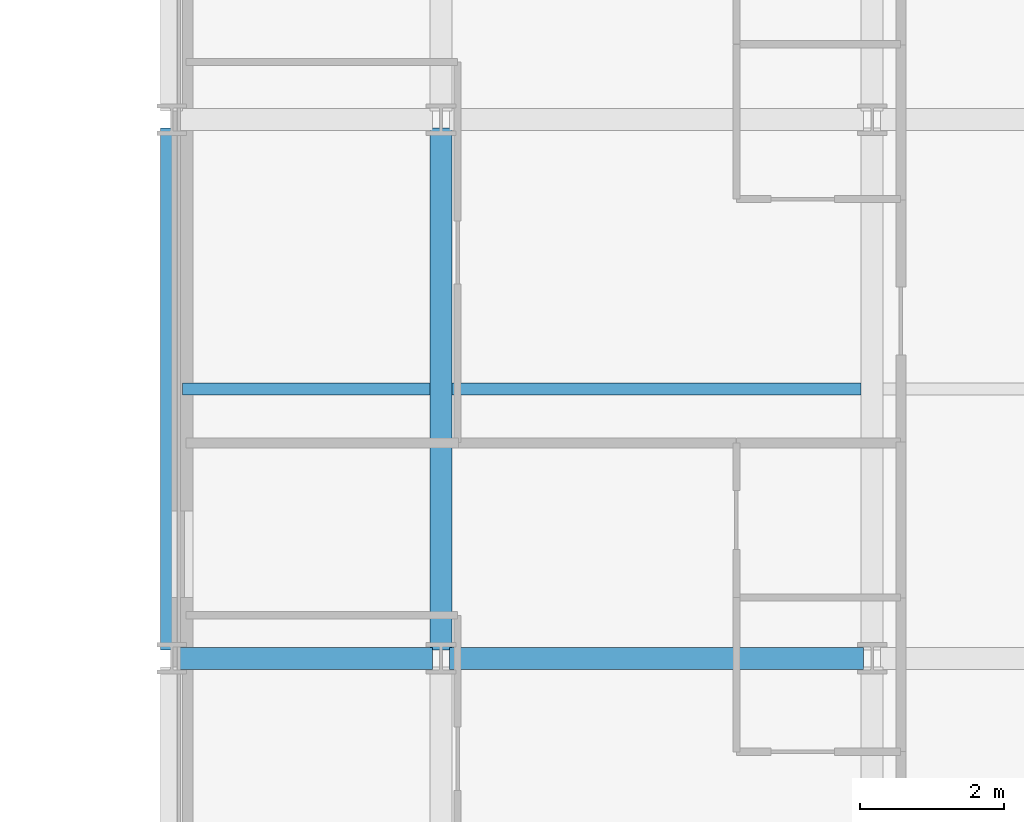
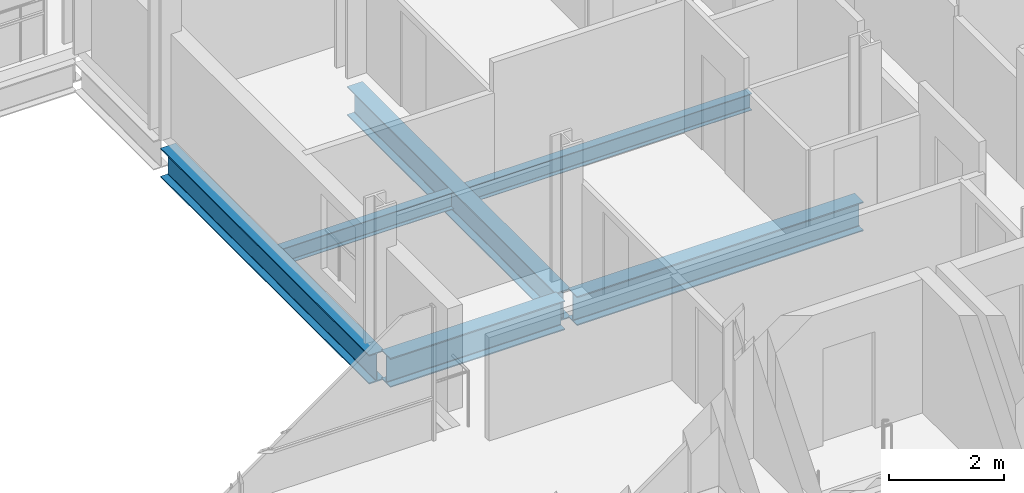
# One storey, part 16 of 41: 6 beams.
"""IFC4 building model written with IfcOpenShell, lengths in metres."""

from ifc_helpers import new_model, si_unit, direction, frame, origin, origin_2d, place, context, subcontext, project, spatial, i_section, extrude, material, material_profile, profile_set, type_object, element, save


model = new_model("IFC4")

# Units and contexts
model_context = context("Model", 3, precision=1e-05, world=origin(), true_north=direction((0.0, 1.0)))
body_context = subcontext(model_context, "Body", "Model", "MODEL_VIEW")
ifc_project = project(units=[si_unit("LENGTHUNIT", "METRE"), si_unit("AREAUNIT", "SQUARE_METRE"), si_unit("VOLUMEUNIT", "CUBIC_METRE"), si_unit("PLANEANGLEUNIT", "RADIAN"), si_unit("MASSUNIT", "GRAM", prefix="KILO")], contexts=[model_context])

# Site, building, storey
site_placement = place(None, origin())
site = spatial("IfcSite", under=ifc_project, at=site_placement, CompositionType="ELEMENT")
building_placement = place(site_placement, origin())
building = spatial("IfcBuilding", under=site, at=building_placement, Name="Brevholm Reach", CompositionType="ELEMENT")
storey_placement = place(building_placement, frame((0.0, 0.0, 93.10009765625)))
storey = spatial("IfcBuildingStorey", under=building, at=storey_placement, Name="L27", CompositionType="ELEMENT", Elevation=93.10009765625)

# Beams
ifc_material_1 = material(Name="Structural Steel S355J2", Category="steel")
ifc_material_profile_1 = material_profile(ifc_material_1, i_section(OverallWidth=0.17138671875, OverallDepth=0.35498046875, WebThickness=0.00732421875, FlangeThickness=0.011474609375, FilletRadius=0.01025390625, at=origin_2d()), Name="UKB 356x171x51")
ifc_profile_set_1 = profile_set([ifc_material_profile_1], Name="Structural Steel S355J2")
beam_type_1 = type_object("IfcBeamType", Name="BM-B356", PredefinedType="BEAM", material=ifc_profile_set_1)
beam_1_placement = place(storey_placement, frame((38.403564453125, 19.75, -0.40771484375), z_axis=(1.0, 0.0, 0.0), x_axis=(0.0, 1.0, 0.0)))
element("IfcBeam", 1, at=beam_1_placement, inside=storey, type_object=beam_type_1, Name="L27 Composite Secondary Floor Beam", PredefinedType="BEAM", context=body_context, shape_type="SweptSolid", body=[
    extrude(i_section(OverallWidth=0.17138671875, OverallDepth=0.35498046875, WebThickness=0.00732421875, FlangeThickness=0.011474609375, FilletRadius=0.01025390625, at=origin_2d()), origin(), (0.0, 0.0, 1.0), 3.44287109375),
])
beam_2_placement = place(storey_placement, frame((42.153564453125, 19.75, -0.40771484375), z_axis=(1.0, 0.0, 0.0), x_axis=(0.0, 1.0, 0.0)))
element("IfcBeam", 2, at=beam_2_placement, inside=storey, type_object=beam_type_1, Name="L27 Composite Secondary Floor Beam", PredefinedType="BEAM", context=body_context, shape_type="SweptSolid", body=[
    extrude(i_section(OverallWidth=0.17138671875, OverallDepth=0.35498046875, WebThickness=0.00732421875, FlangeThickness=0.011474609375, FilletRadius=0.01025390625, at=origin_2d()), origin(), (0.0, 0.0, 1.0), 5.69287109375),
])
ifc_material_2 = material(Name="Structural Steel S355J2", Category="steel")
ifc_material_profile_2 = material_profile(ifc_material_2, i_section(OverallWidth=0.30712890625, OverallDepth=0.6201171875, WebThickness=0.01416015625, FlangeThickness=0.023681640625, FilletRadius=0.0166015625, at=origin_2d()), Name="UKB 610x305x179")
ifc_profile_set_2 = profile_set([ifc_material_profile_2], Name="Structural Steel S355J2")
beam_type_2 = type_object("IfcBeamType", Name="BM-UKB610H", PredefinedType="USERDEFINED", material=ifc_profile_set_2)
beam_3_placement = place(storey_placement, frame((38.3701171875, 16.0, -0.540283203125), z_axis=(1.0, 0.0, 0.0), x_axis=(0.0, 1.0, 0.0)))
element("IfcBeam", 3, at=beam_3_placement, inside=storey, type_object=beam_type_2, Name="L27 G-06 Framing Beam", ObjectType="GIRDER", PredefinedType="USERDEFINED", context=body_context, shape_type="SweptSolid", body=[
    extrude(i_section(OverallWidth=0.30712890625, OverallDepth=0.6201171875, WebThickness=0.01416015625, FlangeThickness=0.023681640625, FilletRadius=0.0166015625, at=origin_2d()), origin(), (0.0, 0.0, 1.0), 3.509765625),
])
beam_4_placement = place(storey_placement, frame((42.1201171875, 16.0, -0.540283203125), z_axis=(1.0, 0.0, 0.0), x_axis=(0.0, 1.0, 0.0)))
element("IfcBeam", 4, at=beam_4_placement, inside=storey, type_object=beam_type_2, Name="L27 G-06 Framing Beam", ObjectType="GIRDER", PredefinedType="USERDEFINED", context=body_context, shape_type="SweptSolid", body=[
    extrude(i_section(OverallWidth=0.30712890625, OverallDepth=0.6201171875, WebThickness=0.01416015625, FlangeThickness=0.023681640625, FilletRadius=0.0166015625, at=origin_2d()), origin(), (0.0, 0.0, 1.0), 5.759765625),
])
for number, where, z_axis, x_axis, name in (
    (5, (38.25, 16.1201171875, -0.540283203125), (0.0, 1.0, 0.0), (-1.0, 0.0, 0.0), "L27 G-06 Framing Beam"),
    (6, (42.0, 16.1201171875, -0.540283203125), (0.0, 1.0, 0.0), (-1.0, 0.0, 0.0), "L27 G-06 Framing Beam"),
):
    element("IfcBeam", number, at=place(storey_placement, frame(where, z_axis=z_axis, x_axis=x_axis)), inside=storey, type_object=beam_type_2, Name=name, ObjectType="GIRDER", PredefinedType="USERDEFINED", context=body_context, shape_type="SweptSolid", body=[
        extrude(i_section(OverallWidth=0.30712890625, OverallDepth=0.6201171875, WebThickness=0.01416015625, FlangeThickness=0.023681640625, FilletRadius=0.0166015625, at=origin_2d()), origin(), (0.0, 0.0, 1.0), 7.259765625),
    ])

save(model, "model.ifc")
